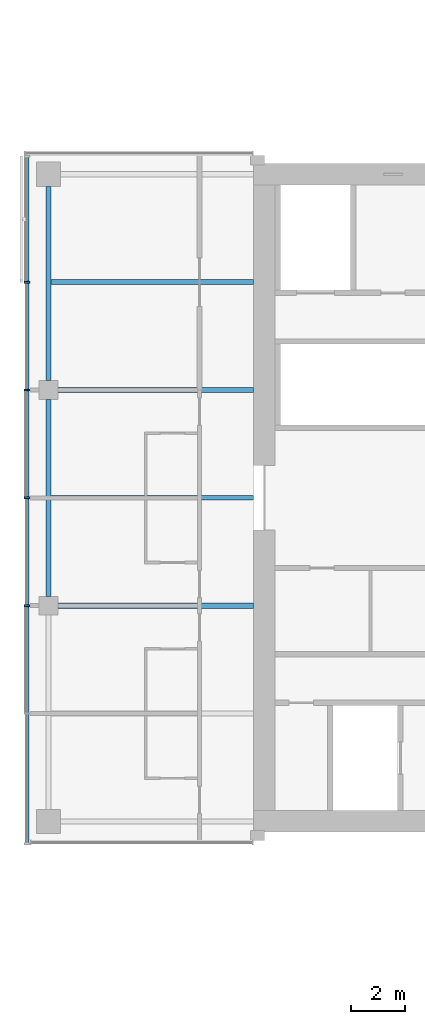
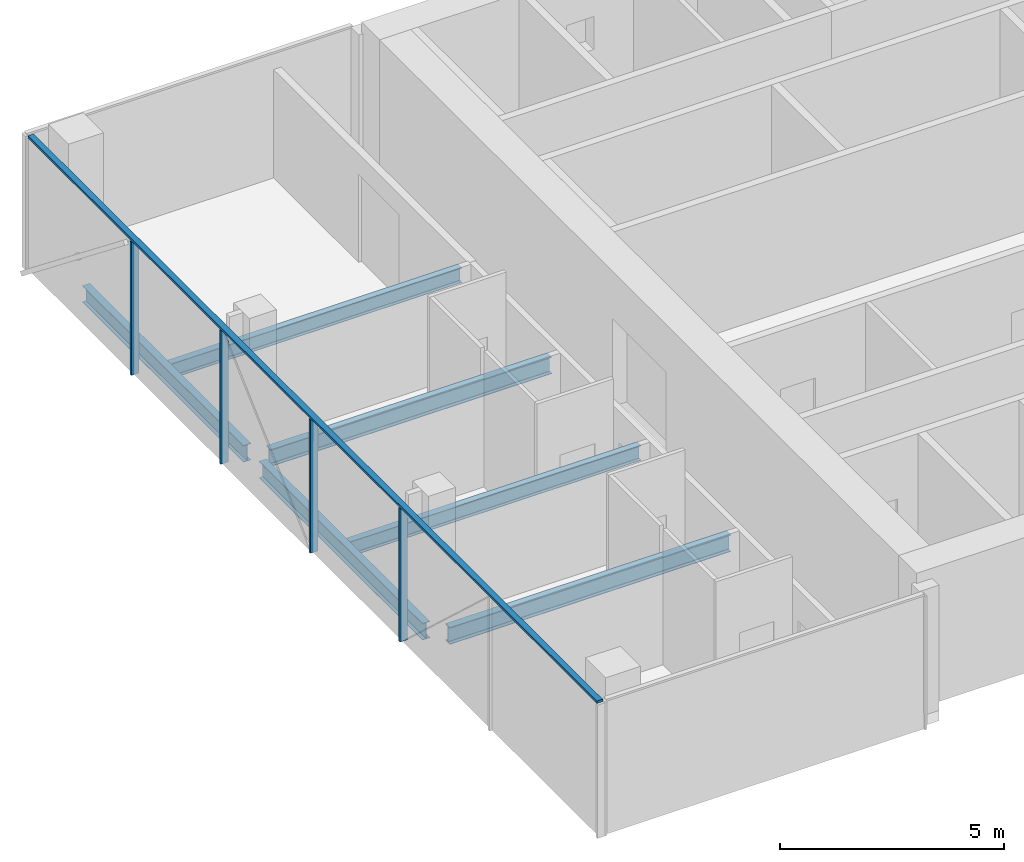
# One storey, part 6 of 27: 6 beams, 5 members, 1 element without a shape of its own.
"""IFC4 building model written with IfcOpenShell, lengths in metres."""

from ifc_helpers import new_model, si_unit, direction, frame, origin, origin_2d, place, context, subcontext, project, spatial, rectangle, i_section, extrude, material, material_profile, profile_set, type_object, element, aggregate, save


model = new_model("IFC4")

# Units and contexts
model_context = context("Model", 3, precision=1e-05, world=origin(), true_north=direction((0.0, 1.0)))
body_context = subcontext(model_context, "Body", "Model", "MODEL_VIEW")
ifc_project = project(units=[si_unit("LENGTHUNIT", "METRE"), si_unit("AREAUNIT", "SQUARE_METRE"), si_unit("VOLUMEUNIT", "CUBIC_METRE"), si_unit("PLANEANGLEUNIT", "RADIAN"), si_unit("MASSUNIT", "GRAM", prefix="KILO")], contexts=[model_context])

# Site, building, storey
site_placement = place(None, origin())
site = spatial("IfcSite", under=ifc_project, at=site_placement, CompositionType="ELEMENT")
building_placement = place(site_placement, origin())
building = spatial("IfcBuilding", under=site, at=building_placement, Name="Crosswind Convention Tower", CompositionType="ELEMENT")
storey_placement = place(building_placement, frame((0.0, 0.0, 83.10009765625)))
storey = spatial("IfcBuildingStorey", under=building, at=storey_placement, Name="L15", CompositionType="ELEMENT", Elevation=83.10009765625)

# Beams
ifc_material_1 = material(Name="Steel S355", Category="steel")
ifc_material_profile_1 = material_profile(ifc_material_1, i_section(OverallWidth=0.1904296875, OverallDepth=0.457275390625, WebThickness=0.009033203125, FlangeThickness=0.014404296875, FilletRadius=0.01025390625, at=origin_2d()), Name="UB 457x191x75")
ifc_profile_set_1 = profile_set([ifc_material_profile_1], Name="Steel S355")
beam_type_1 = type_object("IfcBeamType", Name="Edge beam UB 457x191x75", PredefinedType="SPANDREL", material=ifc_profile_set_1)
beam_1_placement = place(storey_placement, frame((89.0, 96.35009765625, -0.5087890625), z_axis=(0.0, 1.0, 0.0), x_axis=(-1.0, 0.0, 0.0)))
element("IfcBeam", 1, at=beam_1_placement, inside=storey, type_object=beam_type_1, Name="B17 L15 edge beam 2", PredefinedType="SPANDREL", context=body_context, shape_type="SweptSolid", body=[
    extrude(i_section(OverallWidth=0.1904296875, OverallDepth=0.457275390625, WebThickness=0.009033203125, FlangeThickness=0.014404296875, FilletRadius=0.01025390625, at=origin_2d()), origin(), (0.0, 0.0, 1.0), 7.2998046875),
])
beam_2_placement = place(storey_placement, frame((89.0, 104.35009765625, -0.5087890625), z_axis=(0.0, 1.0, 0.0), x_axis=(-1.0, 0.0, 0.0)))
element("IfcBeam", 2, at=beam_2_placement, inside=storey, type_object=beam_type_1, Name="B17 L15 edge beam 3", PredefinedType="SPANDREL", context=body_context, shape_type="SweptSolid", body=[
    extrude(i_section(OverallWidth=0.1904296875, OverallDepth=0.457275390625, WebThickness=0.009033203125, FlangeThickness=0.014404296875, FilletRadius=0.01025390625, at=origin_2d()), origin(), (0.0, 0.0, 1.0), 7.199951171875),
])
ifc_material_profile_2 = material_profile(ifc_material_1, i_section(OverallWidth=0.19189453125, OverallDepth=0.463623046875, WebThickness=0.010498046875, FlangeThickness=0.017578125, FilletRadius=0.01025390625, at=origin_2d()), Name="UB 457x191x90")
ifc_profile_set_2 = profile_set([ifc_material_profile_2], Name="Steel S355")
beam_type_2 = type_object("IfcBeamType", Name="Girder at core wall UB 457x191x90", PredefinedType="BEAM", material=ifc_profile_set_2)
for number, where, z_axis, x_axis, name in (
    (3, (89.35009765625, 96.0, -0.511962890625), (1.0, 0.0, 0.0), (0.0, 1.0, 0.0), "B24 L15 girder at core wall 1"),
    (4, (89.35009765625, 104.0, -0.511962890625), (1.0, 0.0, 0.0), (0.0, 1.0, 0.0), "B24 L15 girder at core wall 2"),
):
    element("IfcBeam", number, at=place(storey_placement, frame(where, z_axis=z_axis, x_axis=x_axis)), inside=storey, type_object=beam_type_2, Name=name, PredefinedType="BEAM", context=body_context, shape_type="SweptSolid", body=[
        extrude(i_section(OverallWidth=0.19189453125, OverallDepth=0.463623046875, WebThickness=0.010498046875, FlangeThickness=0.017578125, FilletRadius=0.01025390625, at=origin_2d()), origin(), (0.0, 0.0, 1.0), 7.25),
    ])

# Curtain wall, members
ifc_material_2 = material(Name="Aluminium unitised curtain wall", Category="aluminium")
curtain_wall_type = type_object("IfcCurtainWallType", Name="HOTEL UNITISED WALL 200", PredefinedType="USERDEFINED", material=ifc_material_2)
curtain_wall_placement = place(storey_placement, origin())
curtain_wall = element("IfcCurtainWall", 5, at=curtain_wall_placement, inside=storey, type_object=curtain_wall_type, Name="CW2 L15 W-TIP 1", ObjectType="UNITISED", PredefinedType="USERDEFINED")
ifc_material_3 = material(Name="Aluminium mullion", Category="aluminium")
ifc_material_profile_3 = material_profile(ifc_material_3, rectangle(XDim=0.199951171875, YDim=0.06494140625, at=origin_2d()), Name="AL 200X65")
ifc_profile_set_3 = profile_set([ifc_material_profile_3], Name="Aluminium mullion")
member_type_1 = type_object("IfcMemberType", Name="MULLION 65X200", PredefinedType="MULLION", material=ifc_profile_set_3)
member_1_placement = place(storey_placement, frame((88.199951171875, 108.0, -0.280029296875), z_axis=(0.0, 0.0, 1.0), x_axis=(-1.0, 0.0, 0.0)))
member_1 = element("IfcMember", 6, at=member_1_placement, type_object=member_type_1, Name="CW2 mullion 2", PredefinedType="MULLION", context=body_context, shape_type="SweptSolid", body=[
    extrude(rectangle(XDim=0.199951171875, YDim=0.06494140625, at=origin_2d()), origin(), (0.0, 0.0, 1.0), 3.635009765625),
])
member_2_placement = place(storey_placement, frame((88.199951171875, 104.0, -0.280029296875), z_axis=(0.0, 0.0, 1.0), x_axis=(-1.0, 0.0, 0.0)))
member_2 = element("IfcMember", 7, at=member_2_placement, type_object=member_type_1, Name="CW2 mullion 3", PredefinedType="MULLION", context=body_context, shape_type="SweptSolid", body=[
    extrude(rectangle(XDim=0.199951171875, YDim=0.06494140625, at=origin_2d()), origin(), (0.0, 0.0, 1.0), 3.635009765625),
])
member_3_placement = place(storey_placement, frame((88.199951171875, 100.0, -0.280029296875), z_axis=(0.0, 0.0, 1.0), x_axis=(-1.0, 0.0, 0.0)))
member_3 = element("IfcMember", 8, at=member_3_placement, type_object=member_type_1, Name="CW2 mullion 4", PredefinedType="MULLION", context=body_context, shape_type="SweptSolid", body=[
    extrude(rectangle(XDim=0.199951171875, YDim=0.06494140625, at=origin_2d()), origin(), (0.0, 0.0, 1.0), 3.635009765625),
])
member_4_placement = place(storey_placement, frame((88.199951171875, 96.0, -0.280029296875), z_axis=(0.0, 0.0, 1.0), x_axis=(-1.0, 0.0, 0.0)))
member_4 = element("IfcMember", 9, at=member_4_placement, type_object=member_type_1, Name="CW2 mullion 5", PredefinedType="MULLION", context=body_context, shape_type="SweptSolid", body=[
    extrude(rectangle(XDim=0.199951171875, YDim=0.06494140625, at=origin_2d()), origin(), (0.0, 0.0, 1.0), 3.635009765625),
])

# Beams
ifc_material_profile_4 = material_profile(ifc_material_1, i_section(OverallWidth=0.177734375, OverallDepth=0.406494140625, WebThickness=0.0078125, FlangeThickness=0.0126953125, FilletRadius=0.01025390625, at=origin_2d()), Name="UB 406x178x60")
ifc_profile_set_4 = profile_set([ifc_material_profile_4], Name="Steel S355")
beam_type_3 = type_object("IfcBeamType", Name="Secondary beam UB 406x178x60", PredefinedType="JOIST", material=ifc_profile_set_4)
for number, where, z_axis, x_axis, name in (
    (10, (89.09521484375, 100.0, -0.4833984375), (1.0, 0.0, 0.0), (0.0, 1.0, 0.0), "B10 L15 secondary beam 2"),
    (11, (89.09521484375, 108.0, -0.4833984375), (1.0, 0.0, 0.0), (0.0, 1.0, 0.0), "B10 L15 secondary beam 3"),
):
    element("IfcBeam", number, at=place(storey_placement, frame(where, z_axis=z_axis, x_axis=x_axis)), inside=storey, type_object=beam_type_3, Name=name, PredefinedType="JOIST", context=body_context, shape_type="SweptSolid", body=[
        extrude(i_section(OverallWidth=0.177734375, OverallDepth=0.406494140625, WebThickness=0.0078125, FlangeThickness=0.0126953125, FilletRadius=0.01025390625, at=origin_2d()), origin(), (0.0, 0.0, 1.0), 7.5048828125),
    ])

# Member
ifc_material_4 = material(Name="Aluminium transom", Category="aluminium")
ifc_material_profile_5 = material_profile(ifc_material_4, rectangle(XDim=0.14990234375, YDim=0.06494140625, at=origin_2d()), Name="AL 150X65")
ifc_profile_set_5 = profile_set([ifc_material_profile_5], Name="Aluminium transom")
member_type_2 = type_object("IfcMemberType", Name="TRANSOM 65X150", PredefinedType="USERDEFINED", material=ifc_profile_set_5)
member_5_placement = place(storey_placement, frame((88.199951171875, 112.635009765625, 3.387451171875), z_axis=(0.0, -1.0, 0.0), x_axis=(1.0, 0.0, 0.0)))
member_5 = element("IfcMember", 12, at=member_5_placement, type_object=member_type_2, Name="CW2 transom", ObjectType="TRANSOM", PredefinedType="USERDEFINED", context=body_context, shape_type="SweptSolid", body=[
    extrude(rectangle(XDim=0.14990234375, YDim=0.06494140625, at=origin_2d()), origin(), (0.0, 0.0, 1.0), 25.429931640625),
])

aggregate(curtain_wall, [member_1, member_2, member_3, member_4, member_5])

save(model, "model.ifc")
